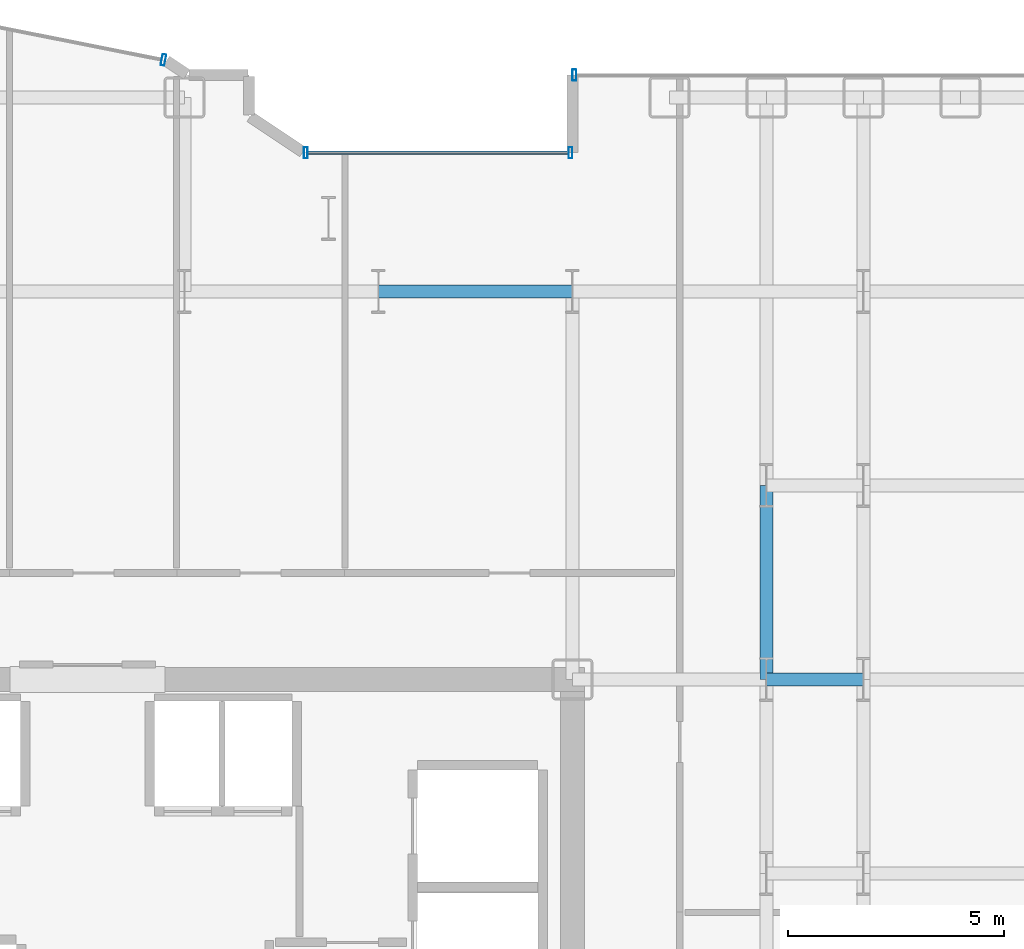
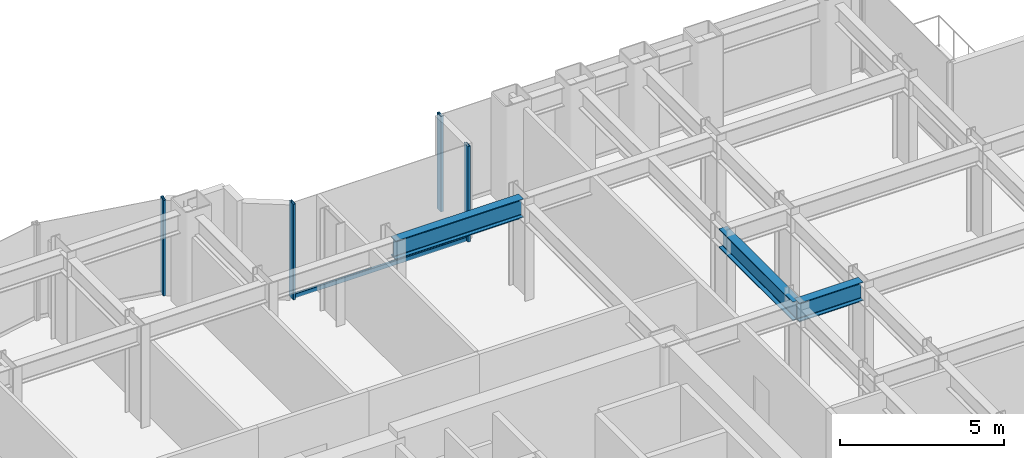
# One storey, part 12 of 26: 5 members, 3 beams, 3 elements without a shape of their own.
"""IFC4 building model written with IfcOpenShell, lengths in metres."""

from ifc_helpers import new_model, si_unit, direction, frame, origin, origin_2d, place, context, subcontext, project, spatial, hollow_rectangle, i_section, extrude, source, transform, mapped, material, layer, layer_set, material_profile, profile_set, type_object, element, aggregate, save


model = new_model("IFC4")

# Units and contexts
model_context = context("Model", 3, precision=1e-05, world=origin(), true_north=direction((0.0, 1.0)))
body_context = subcontext(model_context, "Body", "Model", "MODEL_VIEW")
ifc_project = project(units=[si_unit("LENGTHUNIT", "METRE"), si_unit("AREAUNIT", "SQUARE_METRE"), si_unit("VOLUMEUNIT", "CUBIC_METRE"), si_unit("PLANEANGLEUNIT", "RADIAN"), si_unit("MASSUNIT", "GRAM", prefix="KILO")], contexts=[model_context])

# Site, building, storey
site_placement = place(None, origin())
site = spatial("IfcSite", under=ifc_project, at=site_placement, CompositionType="ELEMENT")
building_placement = place(site_placement, origin())
building = spatial("IfcBuilding", under=site, at=building_placement, Name="Nefas-Gora Pilgrimage Tower", CompositionType="ELEMENT")
storey_placement = place(building_placement, frame((0.0, 0.0, 106.0)))
storey = spatial("IfcBuildingStorey", under=building, at=storey_placement, Name="L25", CompositionType="ELEMENT", Elevation=106.0)

# Beams
ifc_material_1 = material(Name="Steel S355", Category="steel")
ifc_material_profile_1 = material_profile(ifc_material_1, i_section(OverallWidth=0.300048828125, OverallDepth=0.699951171875, WebThickness=0.01708984375, FlangeThickness=0.031982421875, FilletRadius=0.027099609375, at=origin_2d()), Name="HEB 700")
ifc_profile_set_1 = profile_set([ifc_material_profile_1], Name="Steel S355")
beam_type = type_object("IfcBeamType", Name="BM-GIR-HEB700", PredefinedType="BEAM", material=ifc_profile_set_1)
shared_shape_1 = source(origin(), body_context, "Body", "SweptSolid", [
    extrude(i_section(OverallWidth=0.300048828125, OverallDepth=0.699951171875, WebThickness=0.01708984375, FlangeThickness=0.031982421875, FilletRadius=0.027099609375, at=origin_2d()), origin(), (0.0, 0.0, 1.0), 4.5),
])
for number, where, z_axis, x_axis, name in (
    (1, (6.75, 18.0, 3.199951171875), (1.0, 0.0, 0.0), (0.0, 1.0, 0.0), "L25 G-02 beam"),
    (2, (15.75, 9.0, 3.199951171875), (0.0, 1.0, 0.0), (-1.0, 0.0, 0.0), "L25 G-02 beam"),
):
    element("IfcBeam", number, at=place(storey_placement, frame(where, z_axis=z_axis, x_axis=x_axis)), inside=storey, type_object=beam_type, Name=name, PredefinedType="BEAM", context=body_context, shape_type="MappedRepresentation", body=[
        mapped(shared_shape_1, transform((0.0, 0.0, 0.0), x_axis=(1.0, 0.0, 0.0), y_axis=(0.0, 1.0, 0.0), z_axis=(0.0, 0.0, 1.0), scale=1.0)),
    ])
shared_shape_2 = source(origin(), body_context, "Body", "SweptSolid", [
    extrude(i_section(OverallWidth=0.300048828125, OverallDepth=0.699951171875, WebThickness=0.01708984375, FlangeThickness=0.031982421875, FilletRadius=0.027099609375, at=origin_2d()), origin(), (0.0, 0.0, 1.0), 2.25),
])
beam_placement = place(storey_placement, frame((15.75, 9.0, 3.199951171875), z_axis=(1.0, 0.0, 0.0), x_axis=(0.0, 1.0, 0.0)))
element("IfcBeam", 3, at=beam_placement, inside=storey, type_object=beam_type, Name="L25 G-02 beam", PredefinedType="BEAM", context=body_context, shape_type="MappedRepresentation", body=[
    mapped(shared_shape_2, transform((0.0, 0.0, 0.0), x_axis=(1.0, 0.0, 0.0), y_axis=(0.0, 1.0, 0.0), z_axis=(0.0, 0.0, 1.0), scale=1.0)),
])

# Curtain wall, members
ifc_material_2 = material(Name="Dark ceramic-fritted solar-control aluminium-glass curtain wall", Category="aluminium")
ifc_layer_1 = layer(ifc_material_2, 0.219970703125)
ifc_layer_set_1 = layer_set([ifc_layer_1], Name="Dark ceramic-fritted solar-control aluminium-glass curtain wall")
curtain_wall_type_1 = type_object("IfcCurtainWallType", Name="CW-SYS-5", PredefinedType="NOTDEFINED", material=ifc_layer_set_1)
curtain_wall_1_placement = place(storey_placement, origin())
curtain_wall_1 = element("IfcCurtainWall", 4, at=curtain_wall_1_placement, inside=storey, type_object=curtain_wall_type_1, Name="L25 Unitised Curtain Wall CW5", PredefinedType="NOTDEFINED")
ifc_material_3 = material(Name="Anodised architectural aluminium", Category="aluminium")
ifc_material_profile_2 = material_profile(ifc_material_3, hollow_rectangle(XDim=0.090087890625, YDim=0.260009765625, WallThickness=0.006103515625, InnerFilletRadius=0.006103515625, OuterFilletRadius=0.011962890625, at=origin_2d()), Name="ALU MULLION 90x260")
ifc_profile_set_2 = profile_set([ifc_material_profile_2], Name="Anodised architectural aluminium")
member_type_1 = type_object("IfcMemberType", Name="CWM-MUL-5", PredefinedType="MULLION", material=ifc_profile_set_2)
shared_shape_3 = source(origin(), body_context, "Body", "SweptSolid", [
    extrude(hollow_rectangle(XDim=0.090087890625, YDim=0.260009765625, WallThickness=0.006103515625, InnerFilletRadius=0.006103515625, OuterFilletRadius=0.011962890625, at=origin_2d()), origin(), (0.0, 0.0, 1.0), 3.550048828125),
])
member_1_placement = place(storey_placement, frame((11.205078125, 21.219970703125, 0.0), z_axis=(0.0, 0.0, 1.0), x_axis=(-1.0, 0.0, 0.0)))
member_1 = element("IfcMember", 5, at=member_1_placement, type_object=member_type_1, Name="CW5 Mullion 1", PredefinedType="MULLION", context=body_context, shape_type="MappedRepresentation", body=[
    mapped(shared_shape_3, transform((0.0, 0.0, 0.0), x_axis=(1.0, 0.0, 0.0), y_axis=(0.0, 1.0, 0.0), z_axis=(0.0, 0.0, 1.0), scale=1.0)),
])
member_2_placement = place(storey_placement, frame((5.06298828125, 21.219970703125, 0.0), z_axis=(0.0, 0.0, 1.0), x_axis=(-1.0, 0.0, 0.0)))
member_2 = element("IfcMember", 6, at=member_2_placement, type_object=member_type_1, Name="CW5 Mullion 2", PredefinedType="MULLION", context=body_context, shape_type="MappedRepresentation", body=[
    mapped(shared_shape_3, transform((0.0, 0.0, 0.0), x_axis=(1.0, 0.0, 0.0), y_axis=(0.0, 1.0, 0.0), z_axis=(0.0, 0.0, 1.0), scale=1.0)),
])

# Curtain wall, member
curtain_wall_2_placement = place(storey_placement, origin())
curtain_wall_2 = element("IfcCurtainWall", 7, at=curtain_wall_2_placement, inside=storey, type_object=curtain_wall_type_1, Name="L25 Unitised Curtain Wall CW5", PredefinedType="NOTDEFINED")
member_3_placement = place(storey_placement, frame((1.76318359375, 23.3740234375, 0.0), z_axis=(0.0, 0.0, 1.0), x_axis=(-0.980782896852, 0.195102304554, 0.0)))
member_3 = element("IfcMember", 8, at=member_3_placement, type_object=member_type_1, Name="CW5 Mullion 1", PredefinedType="MULLION", context=body_context, shape_type="MappedRepresentation", body=[
    mapped(shared_shape_3, transform((0.0, 0.0, 0.0), x_axis=(1.0, 0.0, 0.0), y_axis=(0.0, 1.0, 0.0), z_axis=(0.0, 0.0, 1.0), scale=1.0)),
])
aggregate(curtain_wall_2, [member_3])

# Member
ifc_material_profile_3 = material_profile(ifc_material_3, hollow_rectangle(XDim=0.080078125, YDim=0.159912109375, WallThickness=0.00439453125, InnerFilletRadius=0.00439453125, OuterFilletRadius=0.009033203125, at=origin_2d()), Name="ALU TRANSOM 80x160")
ifc_profile_set_3 = profile_set([ifc_material_profile_3], Name="Anodised architectural aluminium")
member_type_2 = type_object("IfcMemberType", Name="CWM-TRN-5", PredefinedType="USERDEFINED", material=ifc_profile_set_3)
shared_shape_4 = source(origin(), body_context, "Body", "SweptSolid", [
    extrude(hollow_rectangle(XDim=0.080078125, YDim=0.159912109375, WallThickness=0.00439453125, InnerFilletRadius=0.00439453125, OuterFilletRadius=0.009033203125, at=origin_2d()), origin(), (0.0, 0.0, 1.0), 6.052001953125),
])
member_4_placement = place(storey_placement, frame((11.159912109375, 21.219970703125, 0.050048828125), z_axis=(-1.0, 0.0, 0.0), x_axis=(0.0, -1.0, 0.0)))
member_4 = element("IfcMember", 9, at=member_4_placement, type_object=member_type_2, Name="CW5 Spandrel Transom", ObjectType="TRANSOM", PredefinedType="USERDEFINED", context=body_context, shape_type="MappedRepresentation", body=[
    mapped(shared_shape_4, transform((0.0, 0.0, 0.0), x_axis=(1.0, 0.0, 0.0), y_axis=(0.0, 1.0, 0.0), z_axis=(0.0, 0.0, 1.0), scale=1.0)),
])

aggregate(curtain_wall_1, [member_1, member_2, member_4])

# Curtain wall, member
ifc_layer_2 = layer(ifc_material_2, 0.219970703125)
ifc_layer_set_2 = layer_set([ifc_layer_2], Name="Dark ceramic-fritted solar-control aluminium-glass curtain wall")
curtain_wall_type_2 = type_object("IfcCurtainWallType", Name="CW-SYS-2", PredefinedType="NOTDEFINED", material=ifc_layer_set_2)
curtain_wall_3_placement = place(storey_placement, origin())
curtain_wall_3 = element("IfcCurtainWall", 10, at=curtain_wall_3_placement, inside=storey, type_object=curtain_wall_type_2, Name="L25 Unitised Curtain Wall CW2", PredefinedType="NOTDEFINED")
ifc_material_profile_4 = material_profile(ifc_material_3, hollow_rectangle(XDim=0.090087890625, YDim=0.260009765625, WallThickness=0.006103515625, InnerFilletRadius=0.006103515625, OuterFilletRadius=0.011962890625, at=origin_2d()), Name="ALU MULLION 90x260")
ifc_profile_set_4 = profile_set([ifc_material_profile_4], Name="Anodised architectural aluminium")
member_type_3 = type_object("IfcMemberType", Name="CWM-MUL-2", PredefinedType="MULLION", material=ifc_profile_set_4)
shared_shape_5 = source(origin(), body_context, "Body", "SweptSolid", [
    extrude(hollow_rectangle(XDim=0.090087890625, YDim=0.260009765625, WallThickness=0.006103515625, InnerFilletRadius=0.006103515625, OuterFilletRadius=0.011962890625, at=origin_2d()), origin(), (0.0, 0.0, 1.0), 3.550048828125),
])
member_5_placement = place(storey_placement, frame((11.294921875, 23.02001953125, 0.0), z_axis=(0.0, 0.0, 1.0), x_axis=(-1.0, 0.0, 0.0)))
member_5 = element("IfcMember", 11, at=member_5_placement, type_object=member_type_3, Name="CW2 Mullion 2", PredefinedType="MULLION", context=body_context, shape_type="MappedRepresentation", body=[
    mapped(shared_shape_5, transform((0.0, 0.0, 0.0), x_axis=(1.0, 0.0, 0.0), y_axis=(0.0, 1.0, 0.0), z_axis=(0.0, 0.0, 1.0), scale=1.0)),
])
aggregate(curtain_wall_3, [member_5])

save(model, "model.ifc")
